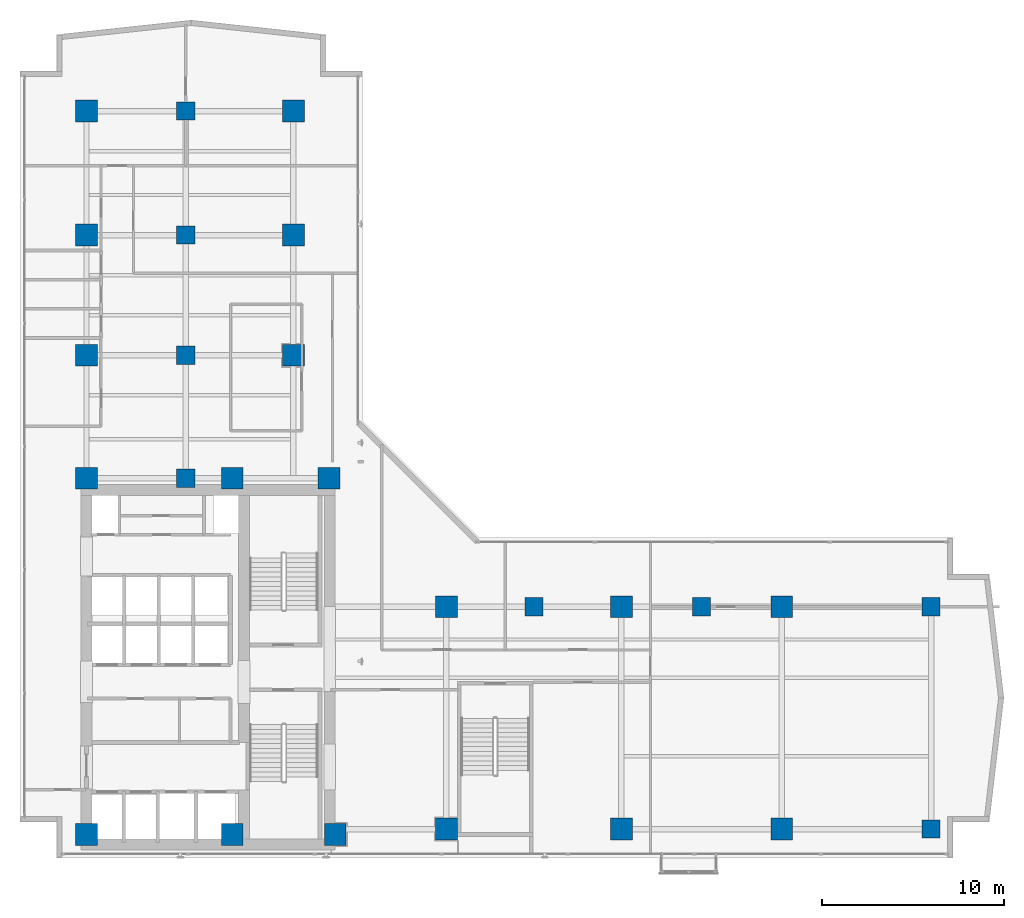
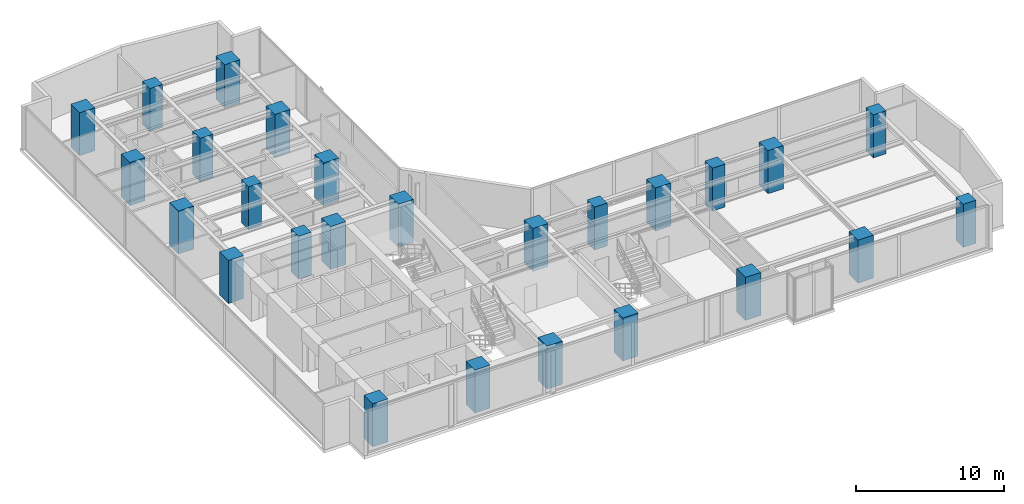
# One storey, part 1 of 26: 26 columns.
"""IFC4 building model written with IfcOpenShell, lengths in metres."""

from ifc_helpers import new_model, si_unit, direction, frame, origin, origin_2d, place, context, subcontext, project, spatial, rectangle, extrude, material, material_profile, profile_set, type_object, element, save


model = new_model("IFC4")

# Units and contexts
model_context = context("Model", 3, precision=1e-05, world=origin(), true_north=direction((0.0, 1.0)))
body_context = subcontext(model_context, "Body", "Model", "MODEL_VIEW")
ifc_project = project(units=[si_unit("LENGTHUNIT", "METRE"), si_unit("AREAUNIT", "SQUARE_METRE"), si_unit("VOLUMEUNIT", "CUBIC_METRE"), si_unit("PLANEANGLEUNIT", "RADIAN"), si_unit("MASSUNIT", "GRAM", prefix="KILO")], contexts=[model_context])

# Site, building, storey
site_placement = place(None, origin())
site = spatial("IfcSite", under=ifc_project, at=site_placement, CompositionType="ELEMENT")
building_placement = place(site_placement, origin())
building = spatial("IfcBuilding", under=site, at=building_placement, Name="Kolvaren Waterfront Exchange", CompositionType="ELEMENT")
storey_placement = place(building_placement, frame((0.0, 0.0, 180.39990234375)))
storey = spatial("IfcBuildingStorey", under=building, at=storey_placement, Name="L46", CompositionType="ELEMENT", Elevation=180.39990234375)

# Columns
ifc_material = material(Name="Concrete C60/75", Category="concrete")
ifc_material_profile_1 = material_profile(ifc_material, rectangle(XDim=1.0, YDim=1.0, at=origin_2d()), Name="RC-COL-1000x1000")
ifc_profile_set_1 = profile_set([ifc_material_profile_1], Name="Concrete C60/75")
column_type_1 = type_object("IfcColumnType", Name="STR-COL-1000-C60", PredefinedType="COLUMN", material=ifc_profile_set_1)
for number, where, z_axis, x_axis, name in (
    (1, (53.800048828125, 5.199951171875, 0.0), (0.0, 0.0, 1.0), (1.0, 0.0, 0.0), "L46 column ZC01"),
    (2, (53.800048828125, 17.39990234375, 0.0), (0.0, 0.0, 1.0), (1.0, 0.0, 0.0), "L46 column ZC02"),
    (3, (12.89990234375, 24.449951171875, 0.0), (0.0, 0.0, 1.0), (1.0, 0.0, 0.0), "L46 column TC01"),
    (4, (12.89990234375, 31.199951171875, 0.0), (0.0, 0.0, 1.0), (1.0, 0.0, 0.0), "L46 column TC02"),
    (5, (12.89990234375, 37.800048828125, 0.0), (0.0, 0.0, 1.0), (1.0, 0.0, 0.0), "L46 column TC03"),
    (6, (12.89990234375, 44.60009765625, 0.0), (0.0, 0.0, 1.0), (1.0, 0.0, 0.0), "L46 column TC04"),
    (7, (32.0, 17.39990234375, 0.0), (0.0, 0.0, 1.0), (1.0, 0.0, 0.0), "L46 column TC05"),
    (8, (41.199951171875, 17.39990234375, 0.0), (0.0, 0.0, 1.0), (1.0, 0.0, 0.0), "L46 column TC06"),
):
    element("IfcColumn", number, at=place(storey_placement, frame(where, z_axis=z_axis, x_axis=x_axis)), inside=storey, type_object=column_type_1, Name=name, PredefinedType="COLUMN", context=body_context, shape_type="SweptSolid", body=[
        extrude(rectangle(XDim=1.0, YDim=1.0, at=origin_2d()), origin(), (0.0, 0.0, 1.0), 3.56005859375),
    ])
ifc_material_profile_2 = material_profile(ifc_material, rectangle(XDim=1.199951171875, YDim=1.199951171875, at=origin_2d()), Name="RC-COL-1200x1200")
ifc_profile_set_2 = profile_set([ifc_material_profile_2], Name="Concrete C60/75")
column_type_2 = type_object("IfcColumnType", Name="STR-COL-1200-C60", PredefinedType="COLUMN", material=ifc_profile_set_2)
for number, where, z_axis, x_axis, name in (
    (9, (7.449951171875, 4.89990234375, 0.0), (0.0, 0.0, 1.0), (1.0, 0.0, 0.0), "L46 column MC01"),
    (10, (15.449951171875, 4.89990234375, 0.0), (0.0, 0.0, 1.0), (1.0, 0.0, 0.0), "L46 column MC02"),
    (11, (21.10009765625, 4.89990234375, 0.0), (0.0, 0.0, 1.0), (1.0, 0.0, 0.0), "L46 column MC03"),
    (12, (7.449951171875, 24.449951171875, 0.0), (0.0, 0.0, 1.0), (1.0, 0.0, 0.0), "L46 column MC04"),
    (13, (15.449951171875, 24.449951171875, 0.0), (0.0, 0.0, 1.0), (1.0, 0.0, 0.0), "L46 column MC05"),
    (14, (20.75, 24.449951171875, 0.0), (0.0, 0.0, 1.0), (1.0, 0.0, 0.0), "L46 column MC06"),
    (15, (7.449951171875, 31.199951171875, 0.0), (0.0, 0.0, 1.0), (1.0, 0.0, 0.0), "L46 column NC01"),
    (16, (7.449951171875, 37.800048828125, 0.0), (0.0, 0.0, 1.0), (1.0, 0.0, 0.0), "L46 column NC02"),
    (17, (7.449951171875, 44.60009765625, 0.0), (0.0, 0.0, 1.0), (1.0, 0.0, 0.0), "L46 column NC03"),
    (18, (18.800048828125, 31.199951171875, 0.0), (0.0, 0.0, 1.0), (1.0, 0.0, 0.0), "L46 column NC04"),
    (19, (18.800048828125, 37.800048828125, 0.0), (0.0, 0.0, 1.0), (1.0, 0.0, 0.0), "L46 column NC05"),
    (20, (18.800048828125, 44.60009765625, 0.0), (0.0, 0.0, 1.0), (1.0, 0.0, 0.0), "L46 column NC06"),
    (21, (27.199951171875, 5.199951171875, 0.0), (0.0, 0.0, 1.0), (1.0, 0.0, 0.0), "L46 column EC01"),
    (22, (36.800048828125, 5.199951171875, 0.0), (0.0, 0.0, 1.0), (1.0, 0.0, 0.0), "L46 column EC02"),
    (23, (45.60009765625, 5.199951171875, 0.0), (0.0, 0.0, 1.0), (1.0, 0.0, 0.0), "L46 column EC03"),
    (24, (27.199951171875, 17.39990234375, 0.0), (0.0, 0.0, 1.0), (1.0, 0.0, 0.0), "L46 column EC04"),
    (25, (36.800048828125, 17.39990234375, 0.0), (0.0, 0.0, 1.0), (1.0, 0.0, 0.0), "L46 column EC05"),
    (26, (45.60009765625, 17.39990234375, 0.0), (0.0, 0.0, 1.0), (1.0, 0.0, 0.0), "L46 column EC06"),
):
    element("IfcColumn", number, at=place(storey_placement, frame(where, z_axis=z_axis, x_axis=x_axis)), inside=storey, type_object=column_type_2, Name=name, PredefinedType="COLUMN", context=body_context, shape_type="SweptSolid", body=[
        extrude(rectangle(XDim=1.199951171875, YDim=1.199951171875, at=origin_2d()), origin(), (0.0, 0.0, 1.0), 3.56005859375),
    ])

save(model, "model.ifc")
